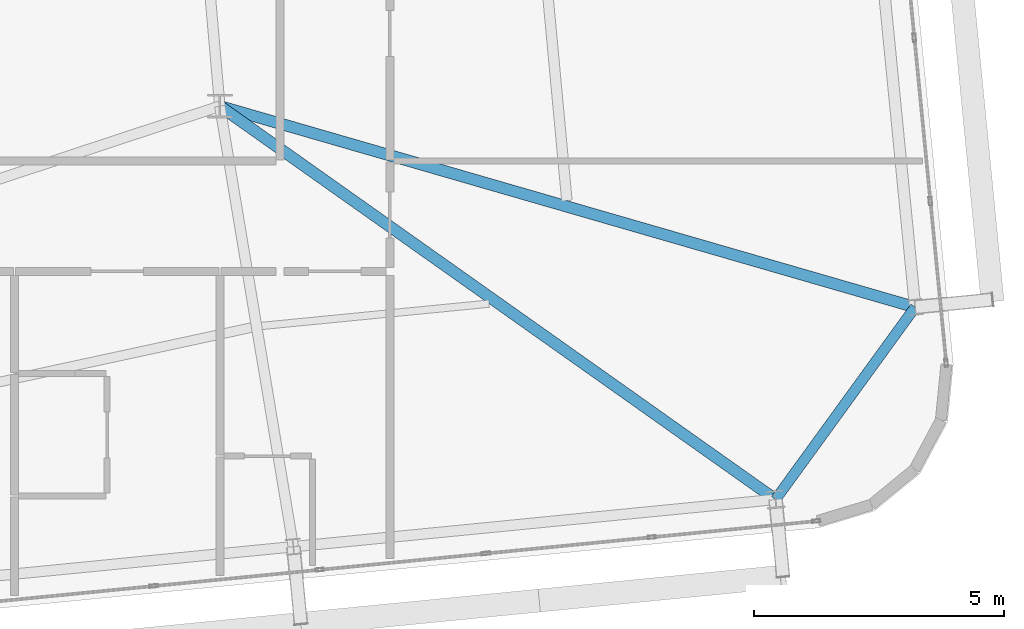
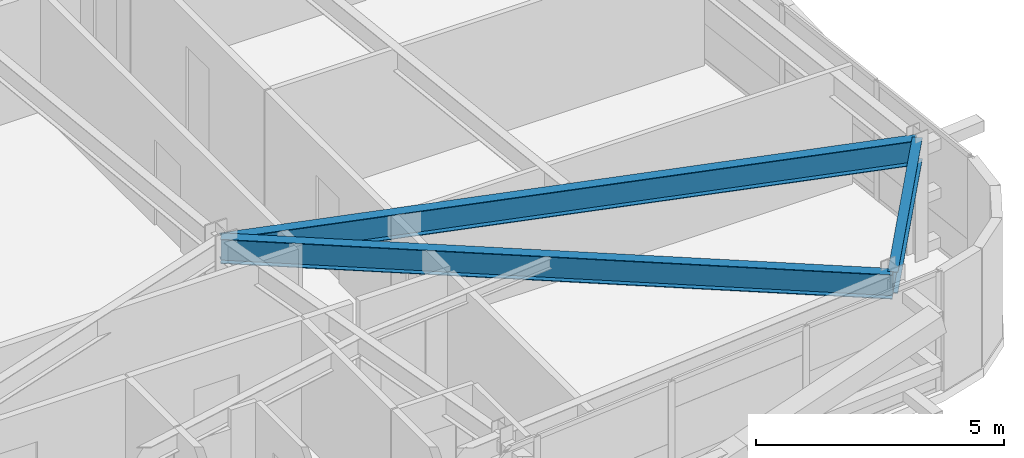
# One storey, part 21 of 53: 3 beams.
"""IFC4 building model written with IfcOpenShell, lengths in metres."""

from ifc_helpers import new_model, si_unit, direction, frame, origin, origin_2d, place, context, subcontext, project, spatial, i_section, extrude, source, transform, mapped, material, material_profile, profile_set, type_object, element, save


model = new_model("IFC4")

# Units and contexts
model_context = context("Model", 3, precision=1e-05, world=origin(), true_north=direction((0.0, 1.0)))
body_context = subcontext(model_context, "Body", "Model", "MODEL_VIEW")
ifc_project = project(units=[si_unit("LENGTHUNIT", "METRE"), si_unit("AREAUNIT", "SQUARE_METRE"), si_unit("VOLUMEUNIT", "CUBIC_METRE"), si_unit("PLANEANGLEUNIT", "RADIAN"), si_unit("MASSUNIT", "GRAM", prefix="KILO")], contexts=[model_context])

# Site, building, storey
site_placement = place(None, origin())
site = spatial("IfcSite", under=ifc_project, at=site_placement, CompositionType="ELEMENT")
building_placement = place(site_placement, origin())
building = spatial("IfcBuilding", under=site, at=building_placement, Name="Taldren Reach Tower", CompositionType="ELEMENT")
storey_placement = place(building_placement, frame((0.0, 0.0, 68.25)))
storey = spatial("IfcBuildingStorey", under=building, at=storey_placement, Name="L20", CompositionType="ELEMENT", Elevation=68.25)

# Beams
ifc_material = material(Name="Steel Gr 350 (350PLUS)", Category="steel")
ifc_material_profile_1 = material_profile(ifc_material, i_section(OverallWidth=0.208984375, OverallDepth=0.528076171875, WebThickness=0.009521484375, FlangeThickness=0.01318359375, at=origin_2d()), Name="530UB82.0")
ifc_profile_set_1 = profile_set([ifc_material_profile_1], Name="Steel Gr 350 (350PLUS)")
beam_type_1 = type_object("IfcBeamType", Name="SP-UB530B", PredefinedType="SPANDREL", material=ifc_profile_set_1)
shared_shape_1 = source(origin(), body_context, "Body", "SweptSolid", [
    extrude(i_section(OverallWidth=0.208984375, OverallDepth=0.528076171875, WebThickness=0.009521484375, FlangeThickness=0.01318359375, at=origin_2d()), origin(), (0.0, 0.0, 1.0), 4.74609375),
])
beam_1_placement = place(storey_placement, frame((63.103271484375, 4.64306640625, 2.666015625), z_axis=(0.58750777154, 0.809218523255, 0.0), x_axis=(-0.809218523255, 0.58750777154, 0.0)))
element("IfcBeam", 1, at=beam_1_placement, inside=storey, type_object=beam_type_1, Name="Perimeter spandrel B2 S6-E1 L20", PredefinedType="SPANDREL", context=body_context, shape_type="MappedRepresentation", body=[
    mapped(shared_shape_1, transform((0.0, 0.0, 0.0), scale=1.0)),
])
ifc_material_profile_2 = material_profile(ifc_material, i_section(OverallWidth=0.22802734375, OverallDepth=0.60205078125, WebThickness=0.010498046875, FlangeThickness=0.014892578125, at=origin_2d()), Name="610UB101")
ifc_profile_set_2 = profile_set([ifc_material_profile_2], Name="Steel Gr 350 (350PLUS)")
beam_type_2 = type_object("IfcBeamType", Name="BM-UB610B", PredefinedType="BEAM", material=ifc_profile_set_2)
shared_shape_2 = source(origin(), body_context, "Body", "SweptSolid", [
    extrude(i_section(OverallWidth=0.22802734375, OverallDepth=0.60205078125, WebThickness=0.010498046875, FlangeThickness=0.014892578125, at=origin_2d()), origin(), (0.0, 0.0, 1.0), 13.60205078125),
])
beam_2_placement = place(storey_placement, frame((52.0, 12.5, 2.62890625), z_axis=(0.816297773281, -0.577631323022, 0.0), x_axis=(0.577631323022, 0.816297773281, 0.0)))
element("IfcBeam", 2, at=beam_2_placement, inside=storey, type_object=beam_type_2, Name="Primary floor girder B2-S6 L20", PredefinedType="BEAM", context=body_context, shape_type="MappedRepresentation", body=[
    mapped(shared_shape_2, transform((0.0, 0.0, 0.0), scale=1.0)),
])
shared_shape_3 = source(origin(), body_context, "Body", "SweptSolid", [
    extrude(i_section(OverallWidth=0.22802734375, OverallDepth=0.60205078125, WebThickness=0.010498046875, FlangeThickness=0.014892578125, at=origin_2d()), origin(), (0.0, 0.0, 1.0), 14.46044921875),
])
beam_3_placement = place(storey_placement, frame((52.0, 12.5, 2.62890625), z_axis=(0.960654638583, -0.277745684698, 0.0), x_axis=(0.277745684698, 0.960654638583, 0.0)))
element("IfcBeam", 3, at=beam_3_placement, inside=storey, type_object=beam_type_2, Name="Primary floor girder B2-E1 L20", PredefinedType="BEAM", context=body_context, shape_type="MappedRepresentation", body=[
    mapped(shared_shape_3, transform((0.0, 0.0, 0.0), scale=1.0)),
])

save(model, "model.ifc")
